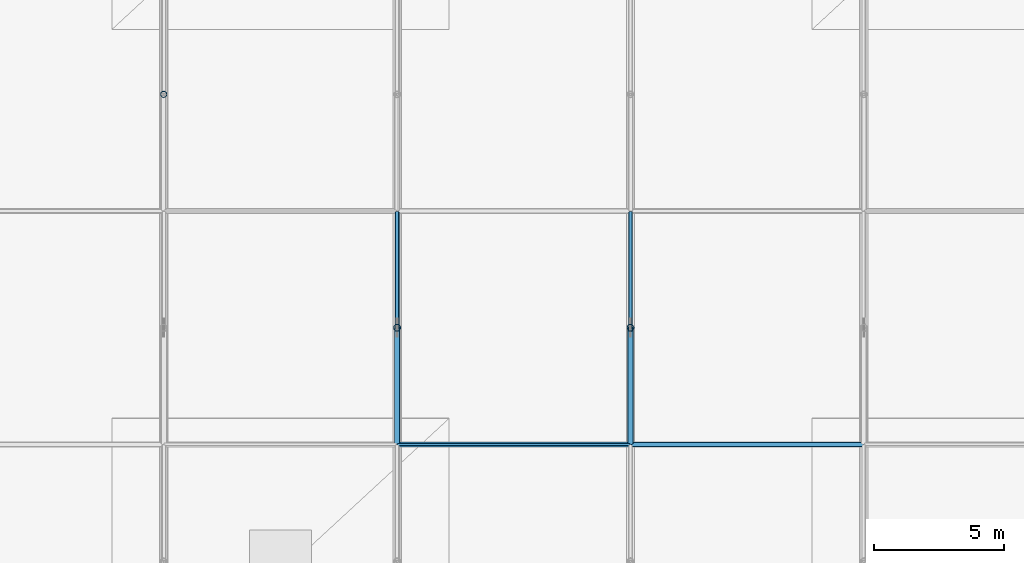
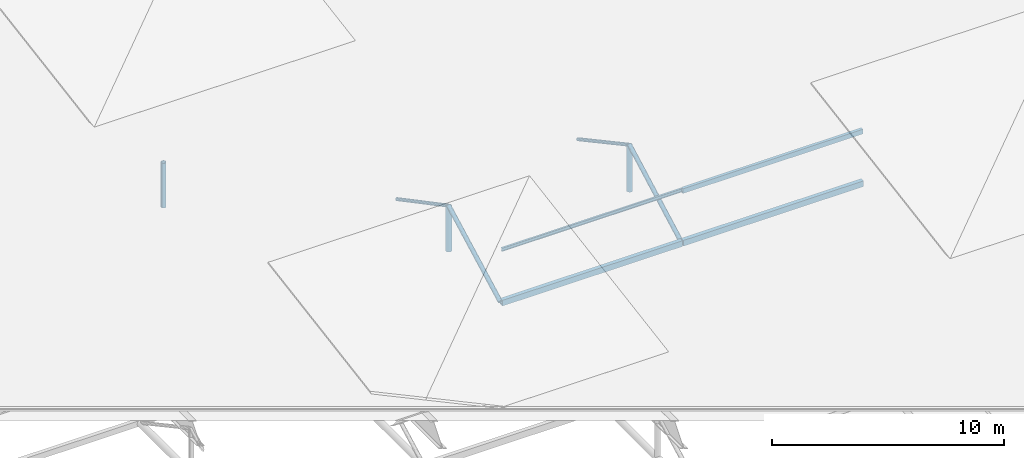
# One storey, part 76 of 196: 11 members.
"""IFC4 building model written with IfcOpenShell, lengths in metres."""

from ifc_helpers import new_model, si_unit, direction, frame, origin, origin_2d, place, context, subcontext, project, spatial, hollow_rectangle, hollow_circle, i_section, extrude, material, material_profile, profile_set, type_object, element, save


model = new_model("IFC4")

# Units and contexts
model_context = context("Model", 3, precision=1e-05, world=origin(), true_north=direction((0.0, 1.0)))
body_context = subcontext(model_context, "Body", "Model", "MODEL_VIEW")
ifc_project = project(units=[si_unit("LENGTHUNIT", "METRE"), si_unit("AREAUNIT", "SQUARE_METRE"), si_unit("VOLUMEUNIT", "CUBIC_METRE"), si_unit("PLANEANGLEUNIT", "RADIAN"), si_unit("MASSUNIT", "GRAM", prefix="KILO")], contexts=[model_context])

# Site, building, storey
site_placement = place(None, origin())
site = spatial("IfcSite", under=ifc_project, at=site_placement, CompositionType="ELEMENT")
building_placement = place(site_placement, origin())
building = spatial("IfcBuilding", under=site, at=building_placement, Name="Barlavento Convention Centre", CompositionType="ELEMENT")
storey_placement = place(building_placement, frame((0.0, 0.0, 18.0)))
storey = spatial("IfcBuildingStorey", under=building, at=storey_placement, Name="L03", CompositionType="ELEMENT", Elevation=18.0)

# Members
ifc_material = material(Name="Steel S355", Category="steel")
ifc_material_profile_1 = material_profile(ifc_material, hollow_rectangle(XDim=0.199951171875, YDim=0.300048828125, WallThickness=0.012451171875, at=origin_2d()), Name="RHS 300x200x12.5")
ifc_profile_set_1 = profile_set([ifc_material_profile_1], Name="Steel S355")
member_type_1 = type_object("IfcMemberType", Name="STR-MEM-COL-RHS300", PredefinedType="COLLAR", material=ifc_profile_set_1)
for number, where, z_axis, x_axis, name in (
    (1, (81.02001953125, 81.0, -3.199951171875), (1.0, 0.0, 0.0), (0.0, 1.0, 0.0), "Exhibition space frame transverse chord"),
    (2, (90.02001953125, 81.0, -3.199951171875), (1.0, 0.0, 0.0), (0.0, 1.0, 0.0), "Exhibition space frame transverse chord"),
):
    element("IfcMember", number, at=place(storey_placement, frame(where, z_axis=z_axis, x_axis=x_axis)), inside=storey, type_object=member_type_1, Name=name, PredefinedType="COLLAR", context=body_context, shape_type="SweptSolid", body=[
        extrude(hollow_rectangle(XDim=0.199951171875, YDim=0.300048828125, WallThickness=0.012451171875, at=origin_2d()), origin(), (0.0, 0.0, 1.0), 8.9599609375),
    ])
ifc_material_profile_2 = material_profile(ifc_material, hollow_circle(Radius=0.084228515625, WallThickness=0.010009765625, at=origin_2d()), Name="CHS 168.3x10.0")
ifc_profile_set_2 = profile_set([ifc_material_profile_2], Name="Steel S355")
member_type_2 = type_object("IfcMemberType", Name="STR-MEM-DIAG-CHS168", PredefinedType="POST", material=ifc_profile_set_2)
member_1_placement = place(storey_placement, frame((81.0, 85.5, -0.844970703125), z_axis=(0.0, 0.883859857229, -0.467751806816), x_axis=(-1.0, 0.0, 0.0)))
element("IfcMember", 3, at=member_1_placement, inside=storey, type_object=member_type_2, Name="Exhibition space frame web diagonal", PredefinedType="POST", context=body_context, shape_type="SweptSolid", body=[
    extrude(hollow_circle(Radius=0.084228515625, WallThickness=0.010009765625, at=origin_2d()), origin(), (0.0, 0.0, 1.0), 5.03466796875),
])
member_2_placement = place(storey_placement, frame((90.0, 85.5, -0.794921875), z_axis=(0.0, 0.879735433057, -0.475463529437), x_axis=(-1.0, 0.0, 0.0)))
element("IfcMember", 4, at=member_2_placement, inside=storey, type_object=member_type_2, Name="Exhibition space frame web diagonal", PredefinedType="POST", context=body_context, shape_type="SweptSolid", body=[
    extrude(hollow_circle(Radius=0.084228515625, WallThickness=0.010009765625, at=origin_2d()), origin(), (0.0, 0.0, 1.0), 5.058349609375),
])
ifc_material_profile_3 = material_profile(ifc_material, hollow_circle(Radius=0.109619140625, WallThickness=0.012451171875, at=origin_2d()), Name="CHS 219.1x12.5")
ifc_profile_set_3 = profile_set([ifc_material_profile_3], Name="Steel S355")
member_type_3 = type_object("IfcMemberType", Name="STR-MEM-DIAG-CHS219", PredefinedType="RAFTER", material=ifc_profile_set_3)
member_3_placement = place(storey_placement, frame((81.0, 81.050048828125, -3.199951171875), z_axis=(0.0, 0.883859857229, 0.467751806816), x_axis=(-1.0, 0.0, 0.0)))
element("IfcMember", 5, at=member_3_placement, inside=storey, type_object=member_type_3, Name="Exhibition space frame web diagonal", PredefinedType="RAFTER", context=body_context, shape_type="SweptSolid", body=[
    extrude(hollow_circle(Radius=0.109619140625, WallThickness=0.012451171875, at=origin_2d()), origin(), (0.0, 0.0, 1.0), 5.03466796875),
])
member_4_placement = place(storey_placement, frame((90.0, 81.050048828125, -3.199951171875), z_axis=(0.0, 0.879735433057, 0.475463529437), x_axis=(-1.0, 0.0, 0.0)))
element("IfcMember", 6, at=member_4_placement, inside=storey, type_object=member_type_3, Name="Exhibition space frame web diagonal", PredefinedType="RAFTER", context=body_context, shape_type="SweptSolid", body=[
    extrude(hollow_circle(Radius=0.109619140625, WallThickness=0.012451171875, at=origin_2d()), origin(), (0.0, 0.0, 1.0), 5.058349609375),
])
ifc_material_profile_4 = material_profile(ifc_material, i_section(OverallWidth=0.091064453125, OverallDepth=0.179931640625, WebThickness=0.00537109375, FlangeThickness=0.008056640625, FilletRadius=0.009033203125, at=origin_2d()), Name="IPE 180")
ifc_profile_set_4 = profile_set([ifc_material_profile_4], Name="Steel S355")
member_type_4 = type_object("IfcMemberType", Name="STR-MEM-PUR-IPE180", PredefinedType="PURLIN", material=ifc_profile_set_4)
member_5_placement = place(storey_placement, frame((81.02001953125, 81.0, -0.43505859375), z_axis=(1.0, 0.0, 0.0), x_axis=(0.0, 1.0, 0.0)))
element("IfcMember", 7, at=member_5_placement, inside=storey, type_object=member_type_4, Name="Exhibition roof purlin", PredefinedType="PURLIN", context=body_context, shape_type="SweptSolid", body=[
    extrude(i_section(OverallWidth=0.091064453125, OverallDepth=0.179931640625, WebThickness=0.00537109375, FlangeThickness=0.008056640625, FilletRadius=0.009033203125, at=origin_2d()), origin(), (0.0, 0.0, 1.0), 8.9599609375),
])
ifc_material_profile_5 = material_profile(ifc_material, hollow_rectangle(XDim=0.14990234375, YDim=0.25, WallThickness=0.010009765625, at=origin_2d()), Name="RHS 250x150x10.0")
ifc_profile_set_5 = profile_set([ifc_material_profile_5], Name="Steel S355")
member_type_5 = type_object("IfcMemberType", Name="STR-MEM-PUR-RHS250", PredefinedType="PURLIN", material=ifc_profile_set_5)
member_6_placement = place(storey_placement, frame((90.02001953125, 81.0, -0.469970703125), z_axis=(1.0, 0.0, 0.0), x_axis=(0.0, 1.0, 0.0)))
element("IfcMember", 8, at=member_6_placement, inside=storey, type_object=member_type_5, Name="Exhibition roof purlin", PredefinedType="PURLIN", context=body_context, shape_type="SweptSolid", body=[
    extrude(hollow_rectangle(XDim=0.14990234375, YDim=0.25, WallThickness=0.010009765625, at=origin_2d()), origin(), (0.0, 0.0, 1.0), 8.9599609375),
])
ifc_material_profile_6 = material_profile(ifc_material, hollow_circle(Radius=0.122314453125, WallThickness=0.012451171875, at=origin_2d()), Name="CHS 244.5x12.5")
ifc_profile_set_6 = profile_set([ifc_material_profile_6], Name="Steel S355")
member_type_6 = type_object("IfcMemberType", Name="STR-MEM-STRUT-CHS244", PredefinedType="STRUT", material=ifc_profile_set_6)
member_7_placement = place(storey_placement, frame((72.0, 94.5, -3.199951171875), z_axis=(0.0, 0.0, 1.0), x_axis=(1.0, 0.0, 0.0)))
element("IfcMember", 9, at=member_7_placement, inside=storey, type_object=member_type_6, Name="Exhibition space frame vertical strut", PredefinedType="STRUT", context=body_context, shape_type="SweptSolid", body=[
    extrude(hollow_circle(Radius=0.122314453125, WallThickness=0.012451171875, at=origin_2d()), origin(), (0.0, 0.0, 1.0), 2.350830078125),
])
ifc_material_profile_7 = material_profile(ifc_material, hollow_circle(Radius=0.136474609375, WallThickness=0.012451171875, at=origin_2d()), Name="CHS 273.0x12.5")
ifc_profile_set_7 = profile_set([ifc_material_profile_7], Name="Steel S355")
member_type_7 = type_object("IfcMemberType", Name="STR-MEM-STRUT-CHS273", PredefinedType="STRUT", material=ifc_profile_set_7)
member_8_placement = place(storey_placement, frame((81.0, 85.5, -3.199951171875), z_axis=(0.0, 0.0, 1.0), x_axis=(1.0, 0.0, 0.0)))
element("IfcMember", 10, at=member_8_placement, inside=storey, type_object=member_type_7, Name="Exhibition space frame vertical strut", PredefinedType="STRUT", context=body_context, shape_type="SweptSolid", body=[
    extrude(hollow_circle(Radius=0.136474609375, WallThickness=0.012451171875, at=origin_2d()), origin(), (0.0, 0.0, 1.0), 2.35498046875),
])
member_9_placement = place(storey_placement, frame((90.0, 85.5, -3.199951171875), z_axis=(0.0, 0.0, 1.0), x_axis=(1.0, 0.0, 0.0)))
element("IfcMember", 11, at=member_9_placement, inside=storey, type_object=member_type_7, Name="Exhibition space frame vertical strut", PredefinedType="STRUT", context=body_context, shape_type="SweptSolid", body=[
    extrude(hollow_circle(Radius=0.136474609375, WallThickness=0.012451171875, at=origin_2d()), origin(), (0.0, 0.0, 1.0), 2.405029296875),
])

save(model, "model.ifc")
